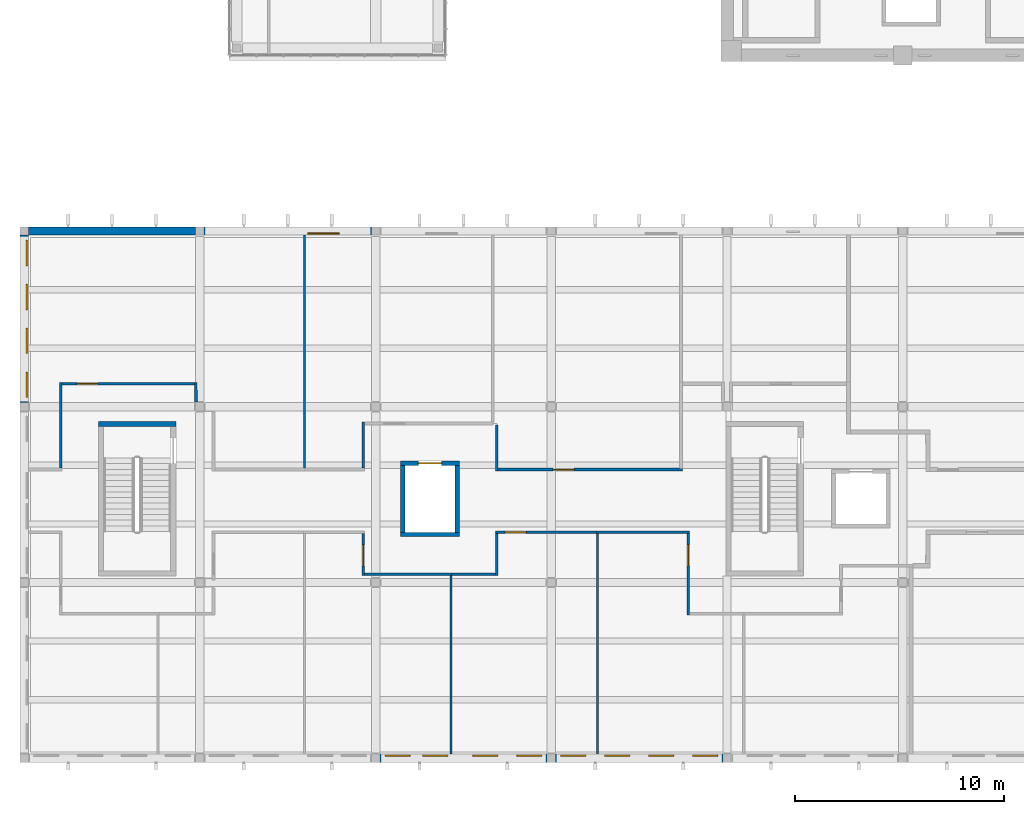
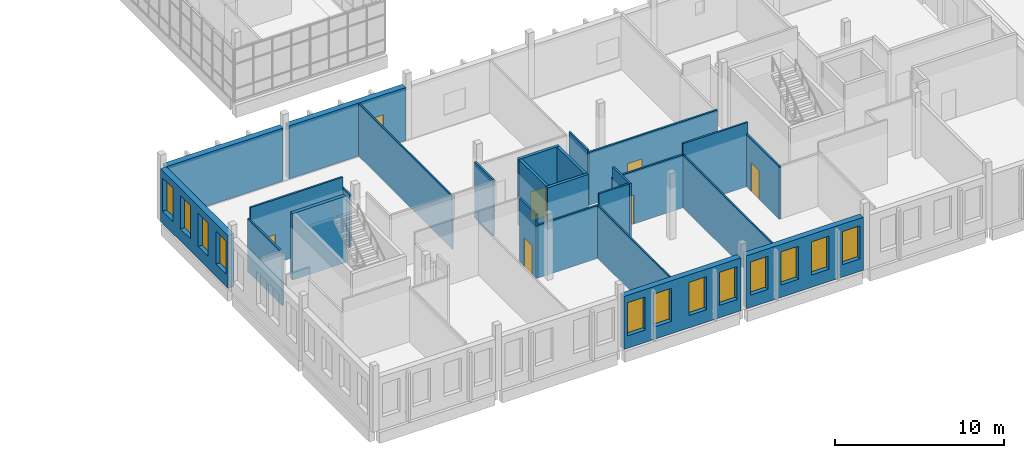
# One storey, part 50 of 103: 26 walls, 13 windows, 6 doors, 19 openings.
"""IFC4 building model written with IfcOpenShell, lengths in metres."""

from ifc_helpers import new_model, si_unit, direction, frame, frame_2d, origin, place, context, subcontext, project, spatial, rectangle, extrude, material, layer, layer_set, type_object, element, fill, save


model = new_model("IFC4")

# Units and contexts
model_context = context("Model", 3, precision=1e-05, world=origin(), true_north=direction((0.0, 1.0)))
body_context = subcontext(model_context, "Body", "Model", "MODEL_VIEW")
ifc_project = project(units=[si_unit("LENGTHUNIT", "METRE"), si_unit("AREAUNIT", "SQUARE_METRE"), si_unit("VOLUMEUNIT", "CUBIC_METRE"), si_unit("PLANEANGLEUNIT", "RADIAN"), si_unit("MASSUNIT", "GRAM", prefix="KILO")], contexts=[model_context])

# Site, building, storey
site_placement = place(None, origin())
site = spatial("IfcSite", under=ifc_project, at=site_placement, CompositionType="ELEMENT")
building_placement = place(site_placement, origin())
building = spatial("IfcBuilding", under=site, at=building_placement, Name="Larchfold Concert Hall", CompositionType="ELEMENT")
storey_placement = place(building_placement, frame((0.0, 0.0, 9.60009765625)))
storey = spatial("IfcBuildingStorey", under=building, at=storey_placement, Name="L02", CompositionType="ELEMENT", Elevation=9.60009765625)

# Wall, opening, door
ifc_material_1 = material(Name="Plasterboard partition on steel studs", Category="steel")
ifc_layer_1 = layer(ifc_material_1, 0.125)
ifc_layer_set_1 = layer_set([ifc_layer_1], Name="Plasterboard partition on steel studs")
wall_type_1 = type_object("IfcWallType", Name="Corridor partition 125 EI 60", PredefinedType="PARTITIONING", material=ifc_layer_set_1)
wall_1_placement = place(storey_placement, frame((16.800048828125, 11.33740234375, 0.0), z_axis=(0.0, 0.0, 1.0), x_axis=(0.0, -1.0, 0.0)))
wall_1 = element("IfcWall", 1, at=wall_1_placement, inside=storey, type_object=wall_type_1, Name="Partition IW0065", PredefinedType="PARTITIONING", context=body_context, shape_type="SweptSolid", body=[
    extrude(rectangle(XDim=2.0, YDim=0.125, at=frame_2d((1.0, 0.0))), origin(), (0.0, 0.0, 1.0), 4.639892578125),
])
opening_1_placement = place(wall_1_placement, frame((0.537353515625, 0.0, 0.0)))
opening_1 = element("IfcOpeningElement", 2, at=opening_1_placement, cuts=wall_1, Name="Opening D-L02-123", PredefinedType="OPENING", context=body_context, shape_type="SweptSolid", body=[
    extrude(rectangle(XDim=1.0, YDim=2.10009765625, at=frame_2d((0.5, 1.050048828125))), frame((0.0, 0.072509765625, 0.0), z_axis=(0.0, -1.0, 0.0), x_axis=(1.0, 0.0, 0.0)), (0.0, 0.0, 1.0), 0.14501953125),
])
ifc_material_2 = material(Name="Timber door leaf", Category="wood")
door_type_1 = type_object("IfcDoorType", Name="Room door 1000 x 2100 FD30S", OperationType="SINGLE_SWING_LEFT", PredefinedType="DOOR", material=ifc_material_2)
door_1_placement = place(opening_1_placement, origin())
door_1 = element("IfcDoor", 3, at=door_1_placement, inside=storey, type_object=door_type_1, Name="Door D-L02-123", OperationType="SINGLE_SWING_LEFT", OverallHeight=2.10009765625, OverallWidth=1.0, PredefinedType="DOOR", context=body_context, shape_type="SweptSolid", body=[
    extrude(rectangle(XDim=1.0, YDim=2.10009765625, at=frame_2d((0.5, 1.050048828125))), frame((0.0, 0.02490234375, 0.0), z_axis=(0.0, -1.0, 0.0), x_axis=(1.0, 0.0, 0.0)), (0.0, 0.0, 1.0), 0.050048828125),
])
fill(opening_1, door_1)

# Walls
wall_2_placement = place(storey_placement, frame((16.862548828125, 9.39990234375, 0.0), z_axis=(0.0, 0.0, 1.0), x_axis=(1.0, 0.0, 0.0)))
element("IfcWall", 4, at=wall_2_placement, inside=storey, type_object=wall_type_1, Name="Partition IW0066", PredefinedType="PARTITIONING", context=body_context, shape_type="SweptSolid", body=[
    extrude(rectangle(XDim=4.1875, YDim=0.125, at=frame_2d((2.09375, 0.0))), origin(), (0.0, 0.0, 1.0), 3.840087890625),
])
wall_3_placement = place(storey_placement, frame((27.949951171875, 11.39990234375, 0.0), z_axis=(0.0, 0.0, 1.0), x_axis=(1.0, 0.0, 0.0)))
element("IfcWall", 5, at=wall_3_placement, inside=storey, type_object=wall_type_1, Name="Partition IW0070", PredefinedType="PARTITIONING", context=body_context, shape_type="SweptSolid", body=[
    extrude(rectangle(XDim=4.462646484375, YDim=0.125, at=frame_2d((2.2314453125, 0.0))), origin(), (0.0, 0.0, 1.0), 4.639892578125),
])

# Wall, opening, door
wall_4_placement = place(storey_placement, frame((32.35009765625, 11.33740234375, 0.0), z_axis=(0.0, 0.0, 1.0), x_axis=(0.0, -1.0, 0.0)))
wall_4 = element("IfcWall", 6, at=wall_4_placement, inside=storey, type_object=wall_type_1, Name="Partition IW0071", PredefinedType="PARTITIONING", context=body_context, shape_type="SweptSolid", body=[
    extrude(rectangle(XDim=3.89990234375, YDim=0.125, at=frame_2d((1.949951171875, 0.0))), origin(), (0.0, 0.0, 1.0), 3.840087890625),
])
opening_2_placement = place(wall_4_placement, frame((0.53759765625, 0.0, 0.0)))
opening_2 = element("IfcOpeningElement", 7, at=opening_2_placement, cuts=wall_4, Name="Opening D-L02-124", PredefinedType="OPENING", context=body_context, shape_type="SweptSolid", body=[
    extrude(rectangle(XDim=1.0, YDim=2.10009765625, at=frame_2d((0.5, 1.050048828125))), frame((0.0, 0.072509765625, 0.0), z_axis=(0.0, -1.0, 0.0), x_axis=(1.0, 0.0, 0.0)), (0.0, 0.0, 1.0), 0.14501953125),
])
door_2_placement = place(opening_2_placement, origin())
door_2 = element("IfcDoor", 8, at=door_2_placement, inside=storey, type_object=door_type_1, Name="Door D-L02-124", OperationType="SINGLE_SWING_LEFT", OverallHeight=2.10009765625, OverallWidth=1.0, PredefinedType="DOOR", context=body_context, shape_type="SweptSolid", body=[
    extrude(rectangle(XDim=1.0, YDim=2.10009765625, at=frame_2d((0.5, 1.050048828125))), frame((0.0, 0.02490234375, 0.0), z_axis=(0.0, -1.0, 0.0), x_axis=(1.0, 0.0, 0.0)), (0.0, 0.0, 1.0), 0.050048828125),
])
fill(opening_2, door_2)

wall_5_placement = place(storey_placement, frame((27.949951171875, 11.40087890625, 0.0), z_axis=(0.0, 0.0, 1.0), x_axis=(-1.0, 0.0, 0.0)))
wall_5 = element("IfcWall", 9, at=wall_5_placement, inside=storey, type_object=wall_type_1, Name="Partition IW0082", PredefinedType="PARTITIONING", context=body_context, shape_type="SweptSolid", body=[
    extrude(rectangle(XDim=4.8125, YDim=0.125, at=frame_2d((2.40625, 0.0))), origin(), (0.0, 0.0, 1.0), 3.840087890625),
])
opening_3_placement = place(wall_5_placement, frame((3.359619140625, 0.0, 0.0)))
opening_3 = element("IfcOpeningElement", 10, at=opening_3_placement, cuts=wall_5, Name="Opening D-L02-127", PredefinedType="OPENING", context=body_context, shape_type="SweptSolid", body=[
    extrude(rectangle(XDim=1.0, YDim=2.10009765625, at=frame_2d((0.5, 1.050048828125))), frame((0.0, 0.072509765625, 0.0), z_axis=(0.0, -1.0, 0.0), x_axis=(1.0, 0.0, 0.0)), (0.0, 0.0, 1.0), 0.14501953125),
])
door_3_placement = place(opening_3_placement, origin())
door_3 = element("IfcDoor", 11, at=door_3_placement, inside=storey, type_object=door_type_1, Name="Door D-L02-127", OperationType="SINGLE_SWING_RIGHT", OverallHeight=2.10009765625, OverallWidth=1.0, PredefinedType="DOOR", context=body_context, shape_type="SweptSolid", body=[
    extrude(rectangle(XDim=1.0, YDim=2.10009765625, at=frame_2d((0.5, 1.050048828125))), frame((0.0, 0.02490234375, 0.0), z_axis=(0.0, -1.0, 0.0), x_axis=(1.0, 0.0, 0.0)), (0.0, 0.0, 1.0), 0.050048828125),
])
fill(opening_3, door_3)

# Walls
wall_6_placement = place(storey_placement, frame((23.199951171875, 11.33837890625, 0.0), z_axis=(0.0, 0.0, 1.0), x_axis=(-0.000488281192, -0.999999880791, 0.0)))
element("IfcWall", 12, at=wall_6_placement, inside=storey, type_object=wall_type_1, Name="Partition IW0083", PredefinedType="PARTITIONING", context=body_context, shape_type="SweptSolid", body=[
    extrude(rectangle(XDim=2.0, YDim=0.125, at=frame_2d((1.0, 0.0))), origin(), (0.0, 0.0, 1.0), 4.639892578125),
])
wall_7_placement = place(storey_placement, frame((23.136474609375, 9.40087890625, 0.0), z_axis=(0.0, 0.0, 1.0), x_axis=(-1.0, 0.0, 0.0)))
element("IfcWall", 13, at=wall_7_placement, inside=storey, type_object=wall_type_1, Name="Partition IW0084", PredefinedType="PARTITIONING", context=body_context, shape_type="SweptSolid", body=[
    extrude(rectangle(XDim=2.08642578125, YDim=0.125, at=frame_2d((1.043212890625, 0.0))), origin(), (0.0, 0.0, 1.0), 4.639892578125),
])
wall_8_placement = place(storey_placement, frame((2.35107421875, 14.46240234375, 0.0), z_axis=(0.0, 0.0, 1.0), x_axis=(0.0, 1.0, 0.0)))
element("IfcWall", 14, at=wall_8_placement, inside=storey, type_object=wall_type_1, Name="Partition IW0089", PredefinedType="PARTITIONING", context=body_context, shape_type="SweptSolid", body=[
    extrude(rectangle(XDim=4.09912109375, YDim=0.125, at=frame_2d((2.049560546875, 0.0))), origin(), (0.0, 0.0, 1.0), 3.840087890625),
])

# Wall, opening, door
wall_9_placement = place(storey_placement, frame((2.41357421875, 18.4990234375, 0.0), z_axis=(0.0, 0.0, 1.0), x_axis=(1.0, 0.0, 0.0)))
wall_9 = element("IfcWall", 15, at=wall_9_placement, inside=storey, type_object=wall_type_1, Name="Partition IW0090", PredefinedType="PARTITIONING", context=body_context, shape_type="SweptSolid", body=[
    extrude(rectangle(XDim=6.333984375, YDim=0.125, at=frame_2d((3.1669921875, 0.0))), origin(), (0.0, 0.0, 1.0), 4.639892578125),
])
opening_4_placement = place(wall_9_placement, frame((0.71240234375, 0.0, 0.0)))
opening_4 = element("IfcOpeningElement", 16, at=opening_4_placement, cuts=wall_9, Name="Opening D-L02-129", PredefinedType="OPENING", context=body_context, shape_type="SweptSolid", body=[
    extrude(rectangle(XDim=1.0, YDim=2.10009765625, at=frame_2d((0.5, 1.050048828125))), frame((0.0, 0.072509765625, 0.0), z_axis=(0.0, -1.0, 0.0), x_axis=(1.0, 0.0, 0.0)), (0.0, 0.0, 1.0), 0.14501953125),
])
door_4_placement = place(opening_4_placement, origin())
door_4 = element("IfcDoor", 17, at=door_4_placement, inside=storey, type_object=door_type_1, Name="Door D-L02-129", OperationType="SINGLE_SWING_LEFT", OverallHeight=2.10009765625, OverallWidth=1.0, PredefinedType="DOOR", context=body_context, shape_type="SweptSolid", body=[
    extrude(rectangle(XDim=1.0, YDim=2.10009765625, at=frame_2d((0.5, 1.050048828125))), frame((0.0, 0.02490234375, 0.0), z_axis=(0.0, -1.0, 0.0), x_axis=(1.0, 0.0, 0.0)), (0.0, 0.0, 1.0), 0.050048828125),
])
fill(opening_4, door_4)

# Walls
wall_10_placement = place(storey_placement, frame((8.809814453125, 18.5615234375, 0.0), z_axis=(0.0, 0.0, 1.0), x_axis=(0.003370476059, -0.999994319929, 0.0)))
element("IfcWall", 18, at=wall_10_placement, inside=storey, type_object=wall_type_1, Name="Partition IW0091", PredefinedType="PARTITIONING", context=body_context, shape_type="SweptSolid", body=[
    extrude(rectangle(XDim=0.941650390625, YDim=0.125, at=frame_2d((0.470703125, 0.0))), origin(), (0.0, 0.0, 1.0), 3.840087890625),
])
wall_11_placement = place(storey_placement, frame((23.198974609375, 16.53662109375, 0.0), z_axis=(0.0, 0.0, 1.0), x_axis=(0.000443852597, -0.999999901497, 0.0)))
element("IfcWall", 19, at=wall_11_placement, inside=storey, type_object=wall_type_1, Name="Partition IW0094", PredefinedType="PARTITIONING", context=body_context, shape_type="SweptSolid", body=[
    extrude(rectangle(XDim=2.2001953125, YDim=0.125, at=frame_2d((1.10009765625, 0.0))), origin(), (0.0, 0.0, 1.0), 4.039794921875),
])

# Wall, opening, door
wall_12_placement = place(storey_placement, frame((23.262451171875, 14.39892578125, 0.0), z_axis=(0.0, 0.0, 1.0), x_axis=(1.0, 0.0, 0.0)))
wall_12 = element("IfcWall", 20, at=wall_12_placement, inside=storey, type_object=wall_type_1, Name="Partition IW0095", PredefinedType="PARTITIONING", context=body_context, shape_type="SweptSolid", body=[
    extrude(rectangle(XDim=8.800048828125, YDim=0.125, at=frame_2d((4.39990234375, 0.0))), origin(), (0.0, 0.0, 1.0), 3.840087890625),
])
opening_5_placement = place(wall_12_placement, frame((2.6279296875, 0.0, 0.0)))
opening_5 = element("IfcOpeningElement", 21, at=opening_5_placement, cuts=wall_12, Name="Opening D-L02-130", PredefinedType="OPENING", context=body_context, shape_type="SweptSolid", body=[
    extrude(rectangle(XDim=1.0, YDim=2.10009765625, at=frame_2d((0.5, 1.050048828125))), frame((0.0, 0.072509765625, 0.0), z_axis=(0.0, -1.0, 0.0), x_axis=(1.0, 0.0, 0.0)), (0.0, 0.0, 1.0), 0.14501953125),
])
door_5_placement = place(opening_5_placement, origin())
door_5 = element("IfcDoor", 22, at=door_5_placement, inside=storey, type_object=door_type_1, Name="Door D-L02-130", OperationType="SINGLE_SWING_LEFT", OverallHeight=2.10009765625, OverallWidth=1.0, PredefinedType="DOOR", context=body_context, shape_type="SweptSolid", body=[
    extrude(rectangle(XDim=1.0, YDim=2.10009765625, at=frame_2d((0.5, 1.050048828125))), frame((0.0, 0.02490234375, 0.0), z_axis=(0.0, -1.0, 0.0), x_axis=(1.0, 0.0, 0.0)), (0.0, 0.0, 1.0), 0.050048828125),
])
fill(opening_5, door_5)

# Wall
wall_13_placement = place(storey_placement, frame((16.800048828125, 14.46142578125, 0.0), z_axis=(0.0, 0.0, 1.0), x_axis=(0.000443852597, 0.999999901497, 0.0)))
element("IfcWall", 23, at=wall_13_placement, inside=storey, type_object=wall_type_1, Name="Partition IW0102", PredefinedType="PARTITIONING", context=body_context, shape_type="SweptSolid", body=[
    extrude(rectangle(XDim=2.2001953125, YDim=0.125, at=frame_2d((1.10009765625, 0.0))), origin(), (0.0, 0.0, 1.0), 4.039794921875),
])

# Wall, opening, window
ifc_material_3 = material(Name="Larch cladding on mineral wool and CLT", Category="wood")
ifc_layer_2 = layer(ifc_material_3, 0.39990234375)
ifc_layer_set_2 = layer_set([ifc_layer_2], Name="Larch cladding on mineral wool and CLT")
wall_type_2 = type_object("IfcWallType", Name="Larch clad infill wall 400", PredefinedType="SOLIDWALL", material=ifc_layer_set_2)
wall_14_placement = place(storey_placement, frame((17.199951171875, 25.800048828125, 0.0), z_axis=(0.0, 0.0, 1.0), x_axis=(-1.0, 0.0, 0.0)))
wall_14 = element("IfcWall", 24, at=wall_14_placement, inside=storey, type_object=wall_type_2, Name="Infill wall W5041", PredefinedType="SOLIDWALL", context=body_context, shape_type="SweptSolid", body=[
    extrude(rectangle(XDim=8.0, YDim=0.39990234375, at=frame_2d((4.0, 0.0))), origin(), (0.0, 0.0, 1.0), 3.840087890625),
])
opening_6_placement = place(wall_14_placement, frame((1.544921875, 0.0, 0.89990234375)))
opening_6 = element("IfcOpeningElement", 25, at=opening_6_placement, cuts=wall_14, Name="Opening WN-L02-025", PredefinedType="OPENING", context=body_context, shape_type="SweptSolid", body=[
    extrude(rectangle(XDim=1.5, YDim=1.5, at=frame_2d((0.75, 0.75))), frame((0.0, 0.2099609375, 0.0), z_axis=(0.0, -1.0, 0.0), x_axis=(1.0, 0.0, 0.0)), (0.0, 0.0, 1.0), 0.419921875),
])
ifc_material_4 = material(Name="Anodised graphite aluminium frame with glass", Category="aluminium")
window_type_1 = type_object("IfcWindowType", Name="Studio window 1500x1500", PartitioningType="DOUBLE_PANEL_VERTICAL", PredefinedType="WINDOW", material=ifc_material_4)
window_1_placement = place(opening_6_placement, origin())
window_1 = element("IfcWindow", 26, at=window_1_placement, inside=storey, type_object=window_type_1, Name="Window WN-L02-025", OverallHeight=1.5, OverallWidth=1.5, PartitioningType="DOUBLE_PANEL_VERTICAL", PredefinedType="WINDOW", context=body_context, shape_type="SweptSolid", body=[
    extrude(rectangle(XDim=1.5, YDim=1.5, at=frame_2d((0.75, 0.75))), frame((0.0, 0.150146484375, 0.0), z_axis=(0.0, -1.0, 0.0), x_axis=(1.0, 0.0, 0.0)), (0.0, 0.0, 1.0), 0.06005859375),
])
fill(opening_6, window_1)

# Wall
wall_15_placement = place(storey_placement, frame((8.800048828125, 25.800048828125, 0.0), z_axis=(0.0, 0.0, 1.0), x_axis=(-1.0, 0.0, 0.0)))
element("IfcWall", 27, at=wall_15_placement, inside=storey, type_object=wall_type_2, Name="Infill wall W5042", PredefinedType="SOLIDWALL", context=body_context, shape_type="SweptSolid", body=[
    extrude(rectangle(XDim=8.0, YDim=0.39990234375, at=frame_2d((4.0, 0.0))), origin(), (0.0, 0.0, 1.0), 3.840087890625),
])

# Wall, openings, windows
wall_16_placement = place(storey_placement, frame((0.60009765625, 25.60009765625, 0.0), z_axis=(0.0, 0.0, 1.0), x_axis=(0.0, -1.0, 0.0)))
wall_16 = element("IfcWall", 28, at=wall_16_placement, inside=storey, type_object=wall_type_2, Name="Infill wall W5043", PredefinedType="SOLIDWALL", context=body_context, shape_type="SweptSolid", body=[
    extrude(rectangle(XDim=8.000244140625, YDim=0.39990234375, at=frame_2d((4.0, 0.0))), origin(), (0.0, 0.0, 1.0), 3.840087890625),
])
opening_7_placement = place(wall_16_placement, frame((6.550048828125, 0.0, 0.89990234375)))
opening_7 = element("IfcOpeningElement", 29, at=opening_7_placement, cuts=wall_16, Name="Opening WN-L02-026", PredefinedType="OPENING", context=body_context, shape_type="SweptSolid", body=[
    extrude(rectangle(XDim=1.199951171875, YDim=2.39990234375, at=frame_2d((0.60009765625, 1.199951171875))), frame((0.0, 0.2099609375, 0.0), z_axis=(0.0, -1.0, 0.0), x_axis=(1.0, 0.0, 0.0)), (0.0, 0.0, 1.0), 0.419921875),
])
opening_8_placement = place(wall_16_placement, frame((4.4501953125, 0.0, 0.89990234375)))
opening_8 = element("IfcOpeningElement", 30, at=opening_8_placement, cuts=wall_16, Name="Opening WN-L02-027", PredefinedType="OPENING", context=body_context, shape_type="SweptSolid", body=[
    extrude(rectangle(XDim=1.199951171875, YDim=2.39990234375, at=frame_2d((0.60009765625, 1.199951171875))), frame((0.0, 0.2099609375, 0.0), z_axis=(0.0, -1.0, 0.0), x_axis=(1.0, 0.0, 0.0)), (0.0, 0.0, 1.0), 0.419921875),
])
opening_9_placement = place(wall_16_placement, frame((2.35009765625, 0.0, 0.89990234375)))
opening_9 = element("IfcOpeningElement", 31, at=opening_9_placement, cuts=wall_16, Name="Opening WN-L02-028", PredefinedType="OPENING", context=body_context, shape_type="SweptSolid", body=[
    extrude(rectangle(XDim=1.199951171875, YDim=2.39990234375, at=frame_2d((0.60009765625, 1.199951171875))), frame((0.0, 0.2099609375, 0.0), z_axis=(0.0, -1.0, 0.0), x_axis=(1.0, 0.0, 0.0)), (0.0, 0.0, 1.0), 0.419921875),
])
opening_10_placement = place(wall_16_placement, frame((0.25, 0.0, 0.89990234375)))
opening_10 = element("IfcOpeningElement", 32, at=opening_10_placement, cuts=wall_16, Name="Opening WN-L02-029", PredefinedType="OPENING", context=body_context, shape_type="SweptSolid", body=[
    extrude(rectangle(XDim=1.199951171875, YDim=2.39990234375, at=frame_2d((0.60009765625, 1.199951171875))), frame((0.0, 0.2099609375, 0.0), z_axis=(0.0, -1.0, 0.0), x_axis=(1.0, 0.0, 0.0)), (0.0, 0.0, 1.0), 0.419921875),
])
ifc_material_5 = material(Name="Anodised graphite aluminium frame with glass", Category="aluminium")
window_type_2 = type_object("IfcWindowType", Name="Slot window 1200x2400", PartitioningType="SINGLE_PANEL", PredefinedType="WINDOW", material=ifc_material_5)
window_2_placement = place(opening_7_placement, origin())
window_2 = element("IfcWindow", 33, at=window_2_placement, inside=storey, type_object=window_type_2, Name="Window WN-L02-026", OverallHeight=2.39990234375, OverallWidth=1.199951171875, PartitioningType="SINGLE_PANEL", PredefinedType="WINDOW", context=body_context, shape_type="SweptSolid", body=[
    extrude(rectangle(XDim=1.199951171875, YDim=2.39990234375, at=frame_2d((0.60009765625, 1.199951171875))), frame((0.0, 0.150146484375, 0.0), z_axis=(0.0, -1.0, 0.0), x_axis=(1.0, 0.0, 0.0)), (0.0, 0.0, 1.0), 0.06005859375),
])
fill(opening_7, window_2)
window_3_placement = place(opening_8_placement, origin())
window_3 = element("IfcWindow", 34, at=window_3_placement, inside=storey, type_object=window_type_2, Name="Window WN-L02-027", OverallHeight=2.39990234375, OverallWidth=1.199951171875, PartitioningType="SINGLE_PANEL", PredefinedType="WINDOW", context=body_context, shape_type="SweptSolid", body=[
    extrude(rectangle(XDim=1.199951171875, YDim=2.39990234375, at=frame_2d((0.60009765625, 1.199951171875))), frame((0.0, 0.150146484375, 0.0), z_axis=(0.0, -1.0, 0.0), x_axis=(1.0, 0.0, 0.0)), (0.0, 0.0, 1.0), 0.06005859375),
])
fill(opening_8, window_3)
window_4_placement = place(opening_9_placement, origin())
window_4 = element("IfcWindow", 35, at=window_4_placement, inside=storey, type_object=window_type_2, Name="Window WN-L02-028", OverallHeight=2.39990234375, OverallWidth=1.199951171875, PartitioningType="SINGLE_PANEL", PredefinedType="WINDOW", context=body_context, shape_type="SweptSolid", body=[
    extrude(rectangle(XDim=1.199951171875, YDim=2.39990234375, at=frame_2d((0.60009765625, 1.199951171875))), frame((0.0, 0.150146484375, 0.0), z_axis=(0.0, -1.0, 0.0), x_axis=(1.0, 0.0, 0.0)), (0.0, 0.0, 1.0), 0.06005859375),
])
fill(opening_9, window_4)
window_5_placement = place(opening_10_placement, origin())
window_5 = element("IfcWindow", 36, at=window_5_placement, inside=storey, type_object=window_type_2, Name="Window WN-L02-029", OverallHeight=2.39990234375, OverallWidth=1.199951171875, PartitioningType="SINGLE_PANEL", PredefinedType="WINDOW", context=body_context, shape_type="SweptSolid", body=[
    extrude(rectangle(XDim=1.199951171875, YDim=2.39990234375, at=frame_2d((0.60009765625, 1.199951171875))), frame((0.0, 0.150146484375, 0.0), z_axis=(0.0, -1.0, 0.0), x_axis=(1.0, 0.0, 0.0)), (0.0, 0.0, 1.0), 0.06005859375),
])
fill(opening_10, window_5)

wall_17_placement = place(storey_placement, frame((17.599853515625, 0.60009765625, 0.0), z_axis=(0.0, 0.0, 1.0), x_axis=(1.0, 0.0, 0.0)))
wall_17 = element("IfcWall", 37, at=wall_17_placement, inside=storey, type_object=wall_type_2, Name="Infill wall W5048", PredefinedType="SOLIDWALL", context=body_context, shape_type="SweptSolid", body=[
    extrude(rectangle(XDim=8.000244140625, YDim=0.39990234375, at=frame_2d((4.0, 0.0))), origin(), (0.0, 0.0, 1.0), 3.840087890625),
])
opening_11_placement = place(wall_17_placement, frame((0.250244140625, 0.0, 0.89990234375)))
opening_11 = element("IfcOpeningElement", 38, at=opening_11_placement, cuts=wall_17, Name="Opening WN-L02-046", PredefinedType="OPENING", context=body_context, shape_type="SweptSolid", body=[
    extrude(rectangle(XDim=1.199951171875, YDim=2.39990234375, at=frame_2d((0.60009765625, 1.199951171875))), frame((0.0, 0.2099609375, 0.0), z_axis=(0.0, -1.0, 0.0), x_axis=(1.0, 0.0, 0.0)), (0.0, 0.0, 1.0), 0.419921875),
])
opening_12_placement = place(wall_17_placement, frame((2.050048828125, 0.0, 0.89990234375)))
opening_12 = element("IfcOpeningElement", 39, at=opening_12_placement, cuts=wall_17, Name="Opening WN-L02-047", PredefinedType="OPENING", context=body_context, shape_type="SweptSolid", body=[
    extrude(rectangle(XDim=1.199951171875, YDim=2.39990234375, at=frame_2d((0.60009765625, 1.199951171875))), frame((0.0, 0.2099609375, 0.0), z_axis=(0.0, -1.0, 0.0), x_axis=(1.0, 0.0, 0.0)), (0.0, 0.0, 1.0), 0.419921875),
])
opening_13_placement = place(wall_17_placement, frame((4.4501953125, 0.0, 0.89990234375)))
opening_13 = element("IfcOpeningElement", 40, at=opening_13_placement, cuts=wall_17, Name="Opening WN-L02-048", PredefinedType="OPENING", context=body_context, shape_type="SweptSolid", body=[
    extrude(rectangle(XDim=1.199951171875, YDim=2.39990234375, at=frame_2d((0.60009765625, 1.199951171875))), frame((0.0, 0.2099609375, 0.0), z_axis=(0.0, -1.0, 0.0), x_axis=(1.0, 0.0, 0.0)), (0.0, 0.0, 1.0), 0.419921875),
])
opening_14_placement = place(wall_17_placement, frame((6.550048828125, 0.0, 0.89990234375)))
opening_14 = element("IfcOpeningElement", 41, at=opening_14_placement, cuts=wall_17, Name="Opening WN-L02-049", PredefinedType="OPENING", context=body_context, shape_type="SweptSolid", body=[
    extrude(rectangle(XDim=1.199951171875, YDim=2.39990234375, at=frame_2d((0.60009765625, 1.199951171875))), frame((0.0, 0.2099609375, 0.0), z_axis=(0.0, -1.0, 0.0), x_axis=(1.0, 0.0, 0.0)), (0.0, 0.0, 1.0), 0.419921875),
])
window_6_placement = place(opening_11_placement, origin())
window_6 = element("IfcWindow", 42, at=window_6_placement, inside=storey, type_object=window_type_2, Name="Window WN-L02-046", OverallHeight=2.39990234375, OverallWidth=1.199951171875, PartitioningType="SINGLE_PANEL", PredefinedType="WINDOW", context=body_context, shape_type="SweptSolid", body=[
    extrude(rectangle(XDim=1.199951171875, YDim=2.39990234375, at=frame_2d((0.60009765625, 1.199951171875))), frame((0.0, 0.150146484375, 0.0), z_axis=(0.0, -1.0, 0.0), x_axis=(1.0, 0.0, 0.0)), (0.0, 0.0, 1.0), 0.06005859375),
])
fill(opening_11, window_6)
window_7_placement = place(opening_12_placement, origin())
window_7 = element("IfcWindow", 43, at=window_7_placement, inside=storey, type_object=window_type_2, Name="Window WN-L02-047", OverallHeight=2.39990234375, OverallWidth=1.199951171875, PartitioningType="SINGLE_PANEL", PredefinedType="WINDOW", context=body_context, shape_type="SweptSolid", body=[
    extrude(rectangle(XDim=1.199951171875, YDim=2.39990234375, at=frame_2d((0.60009765625, 1.199951171875))), frame((0.0, 0.150146484375, 0.0), z_axis=(0.0, -1.0, 0.0), x_axis=(1.0, 0.0, 0.0)), (0.0, 0.0, 1.0), 0.06005859375),
])
fill(opening_12, window_7)
window_8_placement = place(opening_13_placement, origin())
window_8 = element("IfcWindow", 44, at=window_8_placement, inside=storey, type_object=window_type_2, Name="Window WN-L02-048", OverallHeight=2.39990234375, OverallWidth=1.199951171875, PartitioningType="SINGLE_PANEL", PredefinedType="WINDOW", context=body_context, shape_type="SweptSolid", body=[
    extrude(rectangle(XDim=1.199951171875, YDim=2.39990234375, at=frame_2d((0.60009765625, 1.199951171875))), frame((0.0, 0.150146484375, 0.0), z_axis=(0.0, -1.0, 0.0), x_axis=(1.0, 0.0, 0.0)), (0.0, 0.0, 1.0), 0.06005859375),
])
fill(opening_13, window_8)
window_9_placement = place(opening_14_placement, origin())
window_9 = element("IfcWindow", 45, at=window_9_placement, inside=storey, type_object=window_type_2, Name="Window WN-L02-049", OverallHeight=2.39990234375, OverallWidth=1.199951171875, PartitioningType="SINGLE_PANEL", PredefinedType="WINDOW", context=body_context, shape_type="SweptSolid", body=[
    extrude(rectangle(XDim=1.199951171875, YDim=2.39990234375, at=frame_2d((0.60009765625, 1.199951171875))), frame((0.0, 0.150146484375, 0.0), z_axis=(0.0, -1.0, 0.0), x_axis=(1.0, 0.0, 0.0)), (0.0, 0.0, 1.0), 0.06005859375),
])
fill(opening_14, window_9)

wall_18_placement = place(storey_placement, frame((26.0, 0.60009765625, 0.0), z_axis=(0.0, 0.0, 1.0), x_axis=(1.0, 0.0, 0.0)))
wall_18 = element("IfcWall", 46, at=wall_18_placement, inside=storey, type_object=wall_type_2, Name="Infill wall W5049", PredefinedType="SOLIDWALL", context=body_context, shape_type="SweptSolid", body=[
    extrude(rectangle(XDim=8.0, YDim=0.39990234375, at=frame_2d((4.0, 0.0))), origin(), (0.0, 0.0, 1.0), 3.840087890625),
])
opening_15_placement = place(wall_18_placement, frame((0.25, 0.0, 0.89990234375)))
opening_15 = element("IfcOpeningElement", 47, at=opening_15_placement, cuts=wall_18, Name="Opening WN-L02-050", PredefinedType="OPENING", context=body_context, shape_type="SweptSolid", body=[
    extrude(rectangle(XDim=1.199951171875, YDim=2.39990234375, at=frame_2d((0.60009765625, 1.199951171875))), frame((0.0, 0.2099609375, 0.0), z_axis=(0.0, -1.0, 0.0), x_axis=(1.0, 0.0, 0.0)), (0.0, 0.0, 1.0), 0.419921875),
])
opening_16_placement = place(wall_18_placement, frame((2.35009765625, 0.0, 0.89990234375)))
opening_16 = element("IfcOpeningElement", 48, at=opening_16_placement, cuts=wall_18, Name="Opening WN-L02-051", PredefinedType="OPENING", context=body_context, shape_type="SweptSolid", body=[
    extrude(rectangle(XDim=1.199951171875, YDim=2.39990234375, at=frame_2d((0.60009765625, 1.199951171875))), frame((0.0, 0.2099609375, 0.0), z_axis=(0.0, -1.0, 0.0), x_axis=(1.0, 0.0, 0.0)), (0.0, 0.0, 1.0), 0.419921875),
])
opening_17_placement = place(wall_18_placement, frame((4.449951171875, 0.0, 0.89990234375)))
opening_17 = element("IfcOpeningElement", 49, at=opening_17_placement, cuts=wall_18, Name="Opening WN-L02-052", PredefinedType="OPENING", context=body_context, shape_type="SweptSolid", body=[
    extrude(rectangle(XDim=1.199951171875, YDim=2.39990234375, at=frame_2d((0.60009765625, 1.199951171875))), frame((0.0, 0.2099609375, 0.0), z_axis=(0.0, -1.0, 0.0), x_axis=(1.0, 0.0, 0.0)), (0.0, 0.0, 1.0), 0.419921875),
])
opening_18_placement = place(wall_18_placement, frame((6.550048828125, 0.0, 0.89990234375)))
opening_18 = element("IfcOpeningElement", 50, at=opening_18_placement, cuts=wall_18, Name="Opening WN-L02-053", PredefinedType="OPENING", context=body_context, shape_type="SweptSolid", body=[
    extrude(rectangle(XDim=1.199951171875, YDim=2.39990234375, at=frame_2d((0.60009765625, 1.199951171875))), frame((0.0, 0.2099609375, 0.0), z_axis=(0.0, -1.0, 0.0), x_axis=(1.0, 0.0, 0.0)), (0.0, 0.0, 1.0), 0.419921875),
])
window_10_placement = place(opening_15_placement, origin())
window_10 = element("IfcWindow", 51, at=window_10_placement, inside=storey, type_object=window_type_2, Name="Window WN-L02-050", OverallHeight=2.39990234375, OverallWidth=1.199951171875, PartitioningType="SINGLE_PANEL", PredefinedType="WINDOW", context=body_context, shape_type="SweptSolid", body=[
    extrude(rectangle(XDim=1.199951171875, YDim=2.39990234375, at=frame_2d((0.60009765625, 1.199951171875))), frame((0.0, 0.150146484375, 0.0), z_axis=(0.0, -1.0, 0.0), x_axis=(1.0, 0.0, 0.0)), (0.0, 0.0, 1.0), 0.06005859375),
])
fill(opening_15, window_10)
window_11_placement = place(opening_16_placement, origin())
window_11 = element("IfcWindow", 52, at=window_11_placement, inside=storey, type_object=window_type_2, Name="Window WN-L02-051", OverallHeight=2.39990234375, OverallWidth=1.199951171875, PartitioningType="SINGLE_PANEL", PredefinedType="WINDOW", context=body_context, shape_type="SweptSolid", body=[
    extrude(rectangle(XDim=1.199951171875, YDim=2.39990234375, at=frame_2d((0.60009765625, 1.199951171875))), frame((0.0, 0.150146484375, 0.0), z_axis=(0.0, -1.0, 0.0), x_axis=(1.0, 0.0, 0.0)), (0.0, 0.0, 1.0), 0.06005859375),
])
fill(opening_16, window_11)
window_12_placement = place(opening_17_placement, origin())
window_12 = element("IfcWindow", 53, at=window_12_placement, inside=storey, type_object=window_type_2, Name="Window WN-L02-052", OverallHeight=2.39990234375, OverallWidth=1.199951171875, PartitioningType="SINGLE_PANEL", PredefinedType="WINDOW", context=body_context, shape_type="SweptSolid", body=[
    extrude(rectangle(XDim=1.199951171875, YDim=2.39990234375, at=frame_2d((0.60009765625, 1.199951171875))), frame((0.0, 0.150146484375, 0.0), z_axis=(0.0, -1.0, 0.0), x_axis=(1.0, 0.0, 0.0)), (0.0, 0.0, 1.0), 0.06005859375),
])
fill(opening_17, window_12)
window_13_placement = place(opening_18_placement, origin())
window_13 = element("IfcWindow", 54, at=window_13_placement, inside=storey, type_object=window_type_2, Name="Window WN-L02-053", OverallHeight=2.39990234375, OverallWidth=1.199951171875, PartitioningType="SINGLE_PANEL", PredefinedType="WINDOW", context=body_context, shape_type="SweptSolid", body=[
    extrude(rectangle(XDim=1.199951171875, YDim=2.39990234375, at=frame_2d((0.60009765625, 1.199951171875))), frame((0.0, 0.150146484375, 0.0), z_axis=(0.0, -1.0, 0.0), x_axis=(1.0, 0.0, 0.0)), (0.0, 0.0, 1.0), 0.06005859375),
])
fill(opening_18, window_13)

# Walls
ifc_material_6 = material(Name="Plasterboard partition on steel studs", Category="steel")
ifc_layer_3 = layer(ifc_material_6, 0.10009765625)
ifc_layer_set_3 = layer_set([ifc_layer_3], Name="Plasterboard partition on steel studs")
wall_type_3 = type_object("IfcWallType", Name="Stud partition 100", PredefinedType="PARTITIONING", material=ifc_layer_set_3)
wall_19_placement = place(storey_placement, frame((21.0, 9.33740234375, 0.0), z_axis=(0.0, 0.0, 1.0), x_axis=(0.0, -1.0, 0.0)))
element("IfcWall", 55, at=wall_19_placement, inside=storey, type_object=wall_type_3, Name="Partition IW0068", PredefinedType="PARTITIONING", context=body_context, shape_type="SweptSolid", body=[
    extrude(rectangle(XDim=8.537353515625, YDim=0.10009765625, at=frame_2d((4.2685546875, 0.0))), origin(), (0.0, 0.0, 1.0), 3.840087890625),
])
wall_20_placement = place(storey_placement, frame((28.0, 0.800048828125, 0.0), z_axis=(0.0, 0.0, 1.0), x_axis=(0.0, 1.0, 0.0)))
element("IfcWall", 56, at=wall_20_placement, inside=storey, type_object=wall_type_3, Name="Partition IW0073", PredefinedType="PARTITIONING", context=body_context, shape_type="SweptSolid", body=[
    extrude(rectangle(XDim=10.537353515625, YDim=0.10009765625, at=frame_2d((5.2685546875, 0.0))), origin(), (0.0, 0.0, 1.0), 3.840087890625),
])
wall_21_placement = place(storey_placement, frame((14.0, 25.60009765625, 0.0), z_axis=(0.0, 0.0, 1.0), x_axis=(0.0, -1.0, 0.0)))
element("IfcWall", 57, at=wall_21_placement, inside=storey, type_object=wall_type_3, Name="Partition IW0108", PredefinedType="PARTITIONING", context=body_context, shape_type="SweptSolid", body=[
    extrude(rectangle(XDim=11.135009765625, YDim=0.10009765625, at=frame_2d((5.5673828125, 0.0))), origin(), (0.0, 0.0, 1.0), 3.840087890625),
])
ifc_material_7 = material(Name="Concrete C40/50", Category="concrete")
ifc_layer_4 = layer(ifc_material_7, 0.199951171875)
ifc_layer_set_4 = layer_set([ifc_layer_4], Name="Concrete C40/50")
wall_type_4 = type_object("IfcWallType", Name="Wall RC 200 lift shaft", PredefinedType="SOLIDWALL", material=ifc_layer_set_4)
wall_22_placement = place(storey_placement, frame((18.60009765625, 11.300048828125, 0.0), z_axis=(0.0, 0.0, 1.0), x_axis=(1.0, 0.0, 0.0)))
element("IfcWall", 58, at=wall_22_placement, inside=storey, type_object=wall_type_4, Name="Wall W0163", PredefinedType="SOLIDWALL", context=body_context, shape_type="SweptSolid", body=[
    extrude(rectangle(XDim=2.7998046875, YDim=0.199951171875, at=frame_2d((1.39990234375, 0.0))), origin(), (0.0, 0.0, 1.0), 4.7998046875),
])

# Wall, opening, door
wall_23_placement = place(storey_placement, frame((18.60009765625, 14.699951171875, 0.0), z_axis=(0.0, 0.0, 1.0), x_axis=(1.0, 0.0, 0.0)))
wall_23 = element("IfcWall", 59, at=wall_23_placement, inside=storey, type_object=wall_type_4, Name="Wall W0164", PredefinedType="SOLIDWALL", context=body_context, shape_type="SweptSolid", body=[
    extrude(rectangle(XDim=2.7998046875, YDim=0.199951171875, at=frame_2d((1.39990234375, 0.0))), origin(), (0.0, 0.0, 1.0), 4.7998046875),
])
opening_19_placement = place(wall_23_placement, frame((0.849853515625, 0.0, 0.0)))
opening_19 = element("IfcOpeningElement", 60, at=opening_19_placement, cuts=wall_23, Name="Opening LD-LF10", PredefinedType="OPENING", context=body_context, shape_type="SweptSolid", body=[
    extrude(rectangle(XDim=1.10009765625, YDim=2.10009765625, at=frame_2d((0.550048828125, 1.050048828125))), frame((0.0, 0.10986328125, 0.0), z_axis=(0.0, -1.0, 0.0), x_axis=(1.0, 0.0, 0.0)), (0.0, 0.0, 1.0), 0.219970703125),
])
ifc_material_8 = material(Name="Stainless steel sliding leaves", Category="steel")
door_type_2 = type_object("IfcDoorType", Name="Lift landing door sliding 1100 x 2100", OperationType="SLIDING_TO_LEFT", PredefinedType="DOOR", material=ifc_material_8)
door_6_placement = place(opening_19_placement, origin())
door_6 = element("IfcDoor", 61, at=door_6_placement, inside=storey, type_object=door_type_2, Name="Lift landing door LF10", OperationType="SLIDING_TO_LEFT", OverallHeight=2.10009765625, OverallWidth=1.10009765625, PredefinedType="DOOR", context=body_context, shape_type="SweptSolid", body=[
    extrude(rectangle(XDim=1.10009765625, YDim=2.10009765625, at=frame_2d((0.550048828125, 1.050048828125))), frame((0.0, 0.02490234375, 0.0), z_axis=(0.0, -1.0, 0.0), x_axis=(1.0, 0.0, 0.0)), (0.0, 0.0, 1.0), 0.050048828125),
])
fill(opening_19, door_6)

# Walls
for number, where, z_axis, x_axis, name in (
    (62, (18.7001953125, 11.39990234375, 0.0), (0.0, 0.0, 1.0), (0.0, 1.0, 0.0), "Wall W0165"),
    (63, (21.2998046875, 11.39990234375, 0.0), (0.0, 0.0, 1.0), (0.0, 1.0, 0.0), "Wall W0166"),
):
    element("IfcWall", number, at=place(storey_placement, frame(where, z_axis=z_axis, x_axis=x_axis)), inside=storey, type_object=wall_type_4, Name=name, PredefinedType="SOLIDWALL", context=body_context, shape_type="SweptSolid", body=[
        extrude(rectangle(XDim=3.2001953125, YDim=0.199951171875, at=frame_2d((1.60009765625, 0.0))), origin(), (0.0, 0.0, 1.0), 4.7998046875),
    ])
ifc_material_9 = material(Name="Concrete C40/50", Category="concrete")
ifc_layer_5 = layer(ifc_material_9, 0.25)
ifc_layer_set_5 = layer_set([ifc_layer_5], Name="Concrete C40/50")
wall_type_5 = type_object("IfcWallType", Name="Wall RC 250 stair core", PredefinedType="SOLIDWALL", material=ifc_layer_set_5)
wall_24_placement = place(storey_placement, frame((4.14990234375, 16.574951171875, 0.0), z_axis=(0.0, 0.0, 1.0), x_axis=(1.0, 0.0, 0.0)))
element("IfcWall", 64, at=wall_24_placement, inside=storey, type_object=wall_type_5, Name="Wall W0104", PredefinedType="SOLIDWALL", context=body_context, shape_type="SweptSolid", body=[
    extrude(rectangle(XDim=3.7001953125, YDim=0.25, at=frame_2d((1.85009765625, 0.0))), origin(), (0.0, 0.0, 1.0), 4.7998046875),
])

save(model, "model.ifc")
